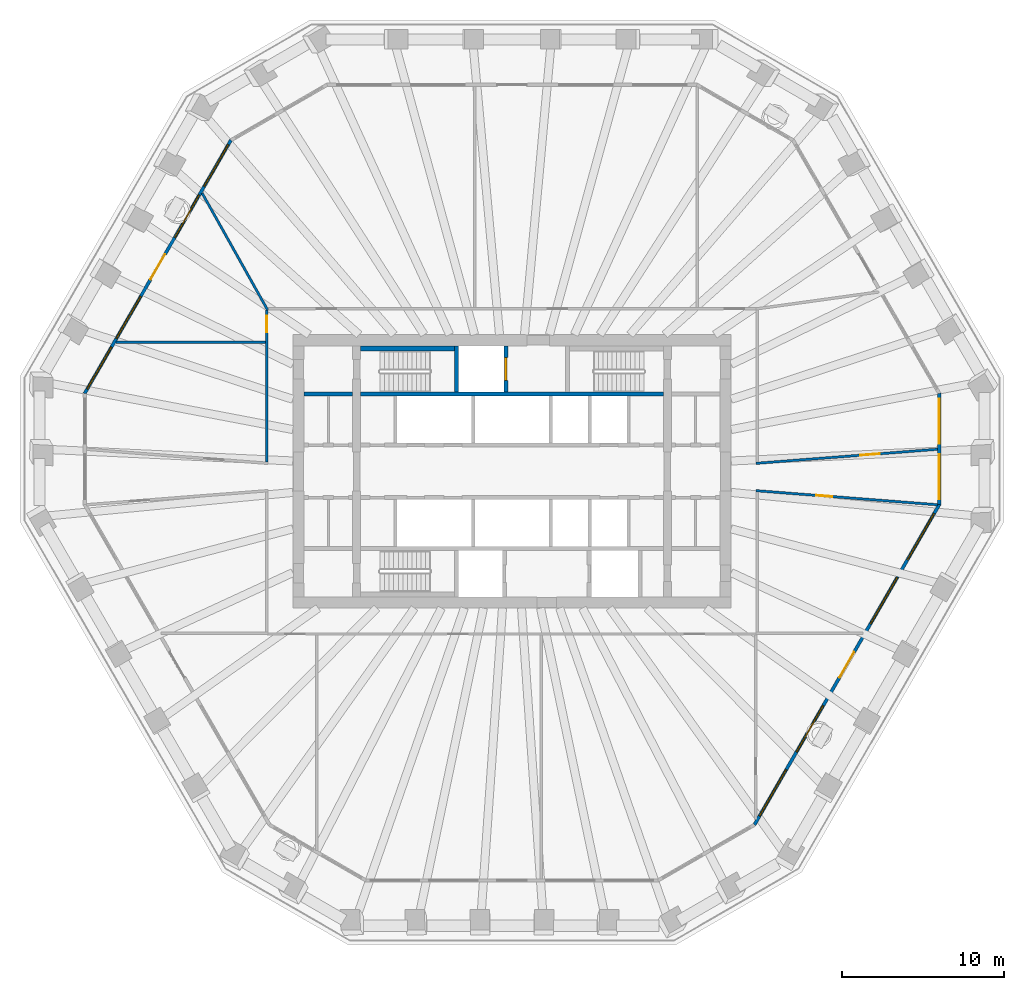
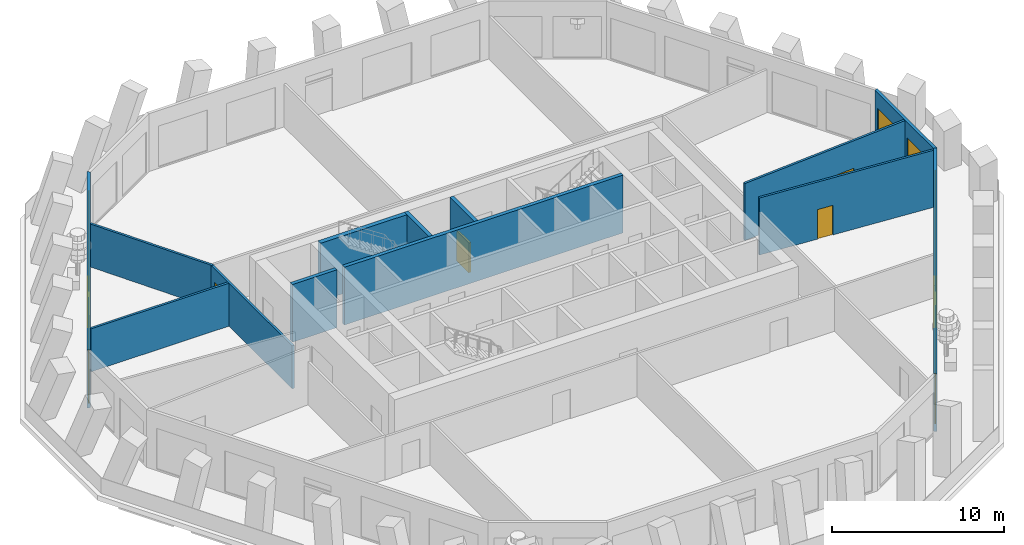
# One storey, part 6 of 11: 13 walls, 12 windows, 6 doors, 18 openings.
"""IFC4 building model written with IfcOpenShell, lengths in metres."""

from ifc_helpers import new_model, si_unit, direction, frame, frame_2d, origin, place, context, subcontext, project, spatial, polyline, rectangle, outline, extrude, material, layer, layer_set, type_object, element, fill, save


model = new_model("IFC4")

# Units and contexts
model_context = context("Model", 3, precision=1e-05, world=origin(), true_north=direction((0.0, 1.0)))
body_context = subcontext(model_context, "Body", "Model", "MODEL_VIEW")
ifc_project = project(units=[si_unit("LENGTHUNIT", "METRE"), si_unit("AREAUNIT", "SQUARE_METRE"), si_unit("VOLUMEUNIT", "CUBIC_METRE"), si_unit("PLANEANGLEUNIT", "RADIAN"), si_unit("MASSUNIT", "GRAM", prefix="KILO")], contexts=[model_context])

# Site, building, storey
site_placement = place(None, origin())
site = spatial("IfcSite", under=ifc_project, at=site_placement, CompositionType="ELEMENT")
building_placement = place(site_placement, origin())
building = spatial("IfcBuilding", under=site, at=building_placement, Name="Frailejon Research Tower", CompositionType="ELEMENT")
storey_placement = place(building_placement, frame((0.0, 0.0, 198.0)))
storey = spatial("IfcBuildingStorey", under=building, at=storey_placement, Name="L43", CompositionType="ELEMENT", Elevation=198.0)

# Wall, opening, door
ifc_material_1 = material(Name="Gypsum board and masonry partition", Category="masonry")
ifc_layer_1 = layer(ifc_material_1, 0.14990234375)
ifc_layer_set_1 = layer_set([ifc_layer_1], Name="Corridor wall EI 60, gypsum on steel studs 150")
wall_type_1 = type_object("IfcWallType", Name="Corridor wall EI 60, gypsum on steel studs 150", PredefinedType="PARTITIONING", material=ifc_layer_set_1)
wall_1_placement = place(storey_placement, frame((-15.14990234375, 0.57568359375, 0.0), z_axis=(0.0, 0.0, 1.0), x_axis=(0.0, 1.0, 0.0)))
wall_1 = element("IfcWall", 1, at=wall_1_placement, inside=storey, type_object=wall_type_1, Name="T:IW:L43:005", PredefinedType="PARTITIONING", context=body_context, shape_type="SweptSolid", body=[
    extrude(rectangle(XDim=9.3994140625, YDim=0.14990234375, at=frame_2d((4.69970703125, 0.0))), origin(), (0.0, 0.0, 1.0), 3.050048828125),
])
opening_1_placement = place(wall_1_placement, frame((8.032958984375, 0.0, 0.0)))
opening_1 = element("IfcOpeningElement", 2, at=opening_1_placement, cuts=wall_1, Name="Opening D1927", PredefinedType="OPENING", context=body_context, shape_type="SweptSolid", body=[
    extrude(rectangle(XDim=1.0, YDim=2.10009765625, at=frame_2d((0.5, 1.050048828125))), frame((0.0, 0.0849609375, 0.0), z_axis=(0.0, -1.0, 0.0), x_axis=(1.0, 0.0, 0.0)), (0.0, 0.0, 1.0), 0.169921875),
])
ifc_material_2 = material(Name="Timber door leaf", Category="wood")
door_type_1 = type_object("IfcDoorType", Name="Door single leaf, timber, steel frame 1000", OperationType="NOTDEFINED", PredefinedType="DOOR", material=ifc_material_2)
door_1_placement = place(opening_1_placement, origin())
door_1 = element("IfcDoor", 3, at=door_1_placement, inside=storey, type_object=door_type_1, Name="D1927", OperationType="SINGLE_SWING_LEFT", OverallHeight=2.10009765625, OverallWidth=1.0, PredefinedType="DOOR", context=body_context, shape_type="SweptSolid", body=[
    extrude(rectangle(XDim=1.0, YDim=2.10009765625, at=frame_2d((0.5, 1.050048828125))), frame((0.0, 0.02490234375, 0.0), z_axis=(0.0, -1.0, 0.0), x_axis=(1.0, 0.0, 0.0)), (0.0, 0.0, 1.0), 0.050048828125),
])
fill(opening_1, door_1)

wall_2_placement = place(storey_placement, frame((15.0751953125, 0.494873046875, 0.0), z_axis=(0.0, 0.0, 1.0), x_axis=(0.996999820834, 0.077403858151, 0.0)))
wall_2 = element("IfcWall", 4, at=wall_2_placement, inside=storey, type_object=wall_type_1, Name="T:IW:L43:009", PredefinedType="PARTITIONING", context=body_context, shape_type="SweptSolid", body=[
    extrude(rectangle(XDim=11.26953125, YDim=0.14990234375, at=frame_2d((5.634765625, 0.0))), origin(), (0.0, 0.0, 1.0), 4.050048828125),
])
opening_2_placement = place(wall_2_placement, frame((6.466552734375, 0.0, 0.0)))
opening_2 = element("IfcOpeningElement", 5, at=opening_2_placement, cuts=wall_2, Name="Opening D1923", PredefinedType="OPENING", context=body_context, shape_type="SweptSolid", body=[
    extrude(rectangle(XDim=1.199951171875, YDim=2.10009765625, at=frame_2d((0.60009765625, 1.050048828125))), frame((0.0, 0.0849609375, 0.0), z_axis=(0.0, -1.0, 0.0), x_axis=(1.0, 0.0, 0.0)), (0.0, 0.0, 1.0), 0.169921875),
])
ifc_material_3 = material(Name="Timber door leaf", Category="wood")
door_type_2 = type_object("IfcDoorType", Name="Door laboratory, timber, vision panel 1200", OperationType="NOTDEFINED", PredefinedType="DOOR", material=ifc_material_3)
door_2_placement = place(opening_2_placement, origin())
door_2 = element("IfcDoor", 6, at=door_2_placement, inside=storey, type_object=door_type_2, Name="D1923", OperationType="DOUBLE_DOOR_SINGLE_SWING", OverallHeight=2.10009765625, OverallWidth=1.199951171875, PredefinedType="DOOR", context=body_context, shape_type="SweptSolid", body=[
    extrude(rectangle(XDim=1.199951171875, YDim=2.10009765625, at=frame_2d((0.60009765625, 1.050048828125))), frame((0.0, 0.02490234375, 0.0), z_axis=(0.0, -1.0, 0.0), x_axis=(1.0, 0.0, 0.0)), (0.0, 0.0, 1.0), 0.050048828125),
])
fill(opening_2, door_2)

wall_3_placement = place(storey_placement, frame((15.0751953125, -1.193603515625, 0.0), z_axis=(0.0, 0.0, 1.0), x_axis=(0.997000362213, -0.077396884614, 0.0)))
wall_3 = element("IfcWall", 7, at=wall_3_placement, inside=storey, type_object=wall_type_1, Name="T:IW:L43:010", PredefinedType="PARTITIONING", context=body_context, shape_type="SweptSolid", body=[
    extrude(rectangle(XDim=11.24853515625, YDim=0.14990234375, at=frame_2d((5.624267578125, 0.0))), origin(), (0.0, 0.0, 1.0), 4.050048828125),
])
opening_3_placement = place(wall_3_placement, frame((3.74072265625, 0.0, 0.0)))
opening_3 = element("IfcOpeningElement", 8, at=opening_3_placement, cuts=wall_3, Name="Opening D1934", PredefinedType="OPENING", context=body_context, shape_type="SweptSolid", body=[
    extrude(rectangle(XDim=1.0, YDim=2.10009765625, at=frame_2d((0.5, 1.050048828125))), frame((0.0, 0.0849609375, 0.0), z_axis=(0.0, -1.0, 0.0), x_axis=(1.0, 0.0, 0.0)), (0.0, 0.0, 1.0), 0.169921875),
])
door_3_placement = place(opening_3_placement, origin())
door_3 = element("IfcDoor", 9, at=door_3_placement, inside=storey, type_object=door_type_1, Name="D1934", OperationType="SINGLE_SWING_LEFT", OverallHeight=2.10009765625, OverallWidth=1.0, PredefinedType="DOOR", context=body_context, shape_type="SweptSolid", body=[
    extrude(rectangle(XDim=1.0, YDim=2.10009765625, at=frame_2d((0.5, 1.050048828125))), frame((0.0, 0.02490234375, 0.0), z_axis=(0.0, -1.0, 0.0), x_axis=(1.0, 0.0, 0.0)), (0.0, 0.0, 1.0), 0.050048828125),
])
fill(opening_3, door_3)

# Walls
ifc_material_4 = material(Name="Gypsum board and masonry partition", Category="masonry")
ifc_layer_2 = layer(ifc_material_4, 0.14990234375)
ifc_layer_set_2 = layer_set([ifc_layer_2], Name="Laboratory partition, blockwork 150")
wall_type_2 = type_object("IfcWallType", Name="Laboratory partition, blockwork 150", PredefinedType="PARTITIONING", material=ifc_layer_set_2)
wall_4_placement = place(storey_placement, frame((-19.15087890625, 17.195068359375, 0.0), z_axis=(0.0, 0.0, 1.0), x_axis=(0.488579979152, -0.872519113815, 0.0)))
element("IfcWall", 10, at=wall_4_placement, inside=storey, type_object=wall_type_2, Name="T:IW:L43:014", PredefinedType="PARTITIONING", context=body_context, shape_type="SweptSolid", body=[
    extrude(rectangle(XDim=8.263916015625, YDim=0.14990234375, at=frame_2d((4.1318359375, 0.0))), origin(), (0.0, 0.0, 1.0), 3.050048828125),
])
wall_5_placement = place(storey_placement, frame((-24.468505859375, 7.984619140625, 0.0), z_axis=(0.0, 0.0, 1.0), x_axis=(1.0, 0.0, 0.0)))
element("IfcWall", 11, at=wall_5_placement, inside=storey, type_object=wall_type_2, Name="T:IW:L43:015", PredefinedType="PARTITIONING", context=body_context, shape_type="SweptSolid", body=[
    extrude(rectangle(XDim=9.243408203125, YDim=0.14990234375, at=frame_2d((4.62158203125, 0.0))), origin(), (0.0, 0.0, 1.0), 3.050048828125),
])
ifc_material_5 = material(Name="Concrete C60/75", Category="concrete")
ifc_layer_3 = layer(ifc_material_5, 0.25)
ifc_layer_set_3 = layer_set([ifc_layer_3], Name="Shaft wall 250 C60/75")
wall_type_3 = type_object("IfcWallType", Name="Shaft wall 250 C60/75", PredefinedType="SOLIDWALL", material=ifc_layer_set_3)
wall_6_placement = place(storey_placement, frame((-12.85009765625, 4.77490234375, 0.0), z_axis=(0.0, 0.0, 1.0), x_axis=(1.0, 0.0, 0.0)))
element("IfcWall", 12, at=wall_6_placement, inside=storey, type_object=wall_type_3, Name="Shaft wall", PredefinedType="SOLIDWALL", context=body_context, shape_type="SweptSolid", body=[
    extrude(rectangle(XDim=3.0, YDim=0.25, at=frame_2d((1.5, 0.0))), origin(), (0.0, 0.0, 1.0), 4.10009765625),
])
wall_7_placement = place(storey_placement, frame((-9.35009765625, 4.77490234375, 0.0), z_axis=(0.0, 0.0, 1.0), x_axis=(1.0, 0.0, 0.0)))
element("IfcWall", 13, at=wall_7_placement, inside=storey, type_object=wall_type_3, Name="Shaft wall", PredefinedType="SOLIDWALL", context=body_context, shape_type="SweptSolid", body=[
    extrude(rectangle(XDim=18.7001953125, YDim=0.25, at=frame_2d((9.35009765625, 0.0))), origin(), (0.0, 0.0, 1.0), 4.10009765625),
])
wall_8_placement = place(storey_placement, frame((-3.425048828125, 4.89990234375, 0.0), z_axis=(0.0, 0.0, 1.0), x_axis=(0.0, 1.0, 0.0)))
element("IfcWall", 14, at=wall_8_placement, inside=storey, type_object=wall_type_3, Name="Shaft wall", PredefinedType="SOLIDWALL", context=body_context, shape_type="SweptSolid", body=[
    extrude(rectangle(XDim=2.85009765625, YDim=0.25, at=frame_2d((1.425048828125, 0.0))), origin(), (0.0, 0.0, 1.0), 4.10009765625),
])

# Wall, opening, door
wall_9_placement = place(storey_placement, frame((-0.375, 4.89990234375, 0.0), z_axis=(0.0, 0.0, 1.0), x_axis=(0.0, 1.0, 0.0)))
wall_9 = element("IfcWall", 15, at=wall_9_placement, inside=storey, type_object=wall_type_3, Name="Shaft wall", PredefinedType="SOLIDWALL", context=body_context, shape_type="SweptSolid", body=[
    extrude(rectangle(XDim=2.85009765625, YDim=0.25, at=frame_2d((1.425048828125, 0.0))), origin(), (0.0, 0.0, 1.0), 4.10009765625),
])
opening_4_placement = place(wall_9_placement, frame((0.72509765625, 0.0, 0.0)))
opening_4 = element("IfcOpeningElement", 16, at=opening_4_placement, cuts=wall_9, Name="Opening LD2", PredefinedType="OPENING", context=body_context, shape_type="SweptSolid", body=[
    extrude(rectangle(XDim=1.39990234375, YDim=2.10009765625, at=frame_2d((0.699951171875, 1.050048828125))), frame((0.0, 0.135009765625, 0.0), z_axis=(0.0, -1.0, 0.0), x_axis=(1.0, 0.0, 0.0)), (0.0, 0.0, 1.0), 0.27001953125),
])
ifc_material_6 = material(Name="Stainless steel", Category="steel")
door_type_3 = type_object("IfcDoorType", Name="Goods landing door", OperationType="DOUBLE_DOOR_SLIDING", PredefinedType="DOOR", material=ifc_material_6)
door_4_placement = place(opening_4_placement, origin())
door_4 = element("IfcDoor", 17, at=door_4_placement, inside=storey, type_object=door_type_3, Name="Lift landing door", OperationType="DOUBLE_DOOR_SLIDING", OverallHeight=2.10009765625, OverallWidth=1.39990234375, PredefinedType="DOOR", context=body_context, shape_type="SweptSolid", body=[
    extrude(rectangle(XDim=1.39990234375, YDim=2.10009765625, at=frame_2d((0.699951171875, 1.050048828125))), frame((0.0, 0.074951171875, 0.0), z_axis=(0.0, -1.0, 0.0), x_axis=(1.0, 0.0, 0.0)), (0.0, 0.0, 1.0), 0.14990234375),
])
fill(opening_4, door_4)

# Wall
ifc_material_7 = material(Name="Concrete C60/75", Category="concrete")
ifc_layer_4 = layer(ifc_material_7, 0.300048828125)
ifc_layer_set_4 = layer_set([ifc_layer_4], Name="Shaft wall 300 C60/75")
wall_type_4 = type_object("IfcWallType", Name="Shaft wall 300 C60/75", PredefinedType="SOLIDWALL", material=ifc_layer_set_4)
wall_10_placement = place(storey_placement, frame((-9.35009765625, 7.60009765625, 0.0), z_axis=(0.0, 0.0, 1.0), x_axis=(1.0, 0.0, 0.0)))
element("IfcWall", 18, at=wall_10_placement, inside=storey, type_object=wall_type_4, Name="Shaft wall", PredefinedType="SOLIDWALL", context=body_context, shape_type="SweptSolid", body=[
    extrude(rectangle(XDim=5.800048828125, YDim=0.300048828125, at=frame_2d((2.89990234375, 0.0))), origin(), (0.0, 0.0, 1.0), 4.10009765625),
])

# Wall, openings, windows
ifc_material_8 = material(Name="Concrete C40/50 precast window wall panel", Category="concrete")
ifc_layer_5 = layer(ifc_material_8, 0.199951171875)
ifc_layer_set_5 = layer_set([ifc_layer_5], Name="Window wall 200")
wall_type_5 = type_object("IfcWallType", Name="Window wall 200", PredefinedType="SOLIDWALL", material=ifc_layer_set_5)
wall_11_placement = place(storey_placement, frame((26.4111328125, -2.0546875, 0.0), z_axis=(0.0, 0.0, 1.0), x_axis=(0.0, 1.0, 0.0)))
wall_11 = element("IfcWall", 19, at=wall_11_placement, inside=storey, type_object=wall_type_5, Name="Exterior wall L43", PredefinedType="SOLIDWALL", context=body_context, shape_type="SweptSolid", body=[
    extrude(outline(polyline([(-0.02685546875, -0.10009765625), (1.1279296875, -0.10009765625), (2.28271484375, -0.10009765625), (3.4375, -0.10009765625), (4.592041015625, -0.10009765625), (5.746826171875, -0.10009765625), (6.901611328125, -0.10009765625), (6.847900390625, 0.10009765625), (5.7109375, 0.10009765625), (4.57421875, 0.10009765625), (3.4375, 0.10009765625), (2.300537109375, 0.10009765625), (1.16357421875, 0.10009765625), (0.02685546875, 0.10009765625), (-0.02685546875, -0.10009765625)])), origin(), (0.0, 0.0, 1.0), 4.10009765625),
])
opening_5_placement = place(wall_11_placement, frame((0.318603515625, 0.0, 0.10009765625)))
opening_5 = element("IfcOpeningElement", 20, at=opening_5_placement, cuts=wall_11, Name="Opening W3", PredefinedType="OPENING", context=body_context, shape_type="SweptSolid", body=[
    extrude(rectangle(XDim=2.800048828125, YDim=2.89990234375, at=frame_2d((1.39990234375, 1.449951171875))), frame((0.0, 0.10986328125, 0.0), z_axis=(0.0, -1.0, 0.0), x_axis=(1.0, 0.0, 0.0)), (0.0, 0.0, 1.0), 0.219970703125),
])
opening_6_placement = place(wall_11_placement, frame((3.756103515625, 0.0, 0.10009765625)))
opening_6 = element("IfcOpeningElement", 21, at=opening_6_placement, cuts=wall_11, Name="Opening W3", PredefinedType="OPENING", context=body_context, shape_type="SweptSolid", body=[
    extrude(rectangle(XDim=2.800048828125, YDim=2.89990234375, at=frame_2d((1.39990234375, 1.449951171875))), frame((0.0, 0.10986328125, 0.0), z_axis=(0.0, -1.0, 0.0), x_axis=(1.0, 0.0, 0.0)), (0.0, 0.0, 1.0), 0.219970703125),
])
ifc_material_9 = material(Name="Aluminium framed double glazing", Category="aluminium")
window_type_1 = type_object("IfcWindowType", Name="Window 2800x2900", PartitioningType="SINGLE_PANEL", PredefinedType="WINDOW", material=ifc_material_9)
window_1_placement = place(opening_5_placement, origin())
window_1 = element("IfcWindow", 22, at=window_1_placement, inside=storey, type_object=window_type_1, Name="Window L43", OverallHeight=2.89990234375, OverallWidth=2.800048828125, PartitioningType="SINGLE_PANEL", PredefinedType="WINDOW", context=body_context, shape_type="SweptSolid", body=[
    extrude(rectangle(XDim=2.800048828125, YDim=2.89990234375, at=frame_2d((1.39990234375, 1.449951171875))), frame((0.0, 0.030029296875, 0.0), z_axis=(0.0, -1.0, 0.0), x_axis=(1.0, 0.0, 0.0)), (0.0, 0.0, 1.0), 0.06005859375),
])
fill(opening_5, window_1)
window_2_placement = place(opening_6_placement, origin())
window_2 = element("IfcWindow", 23, at=window_2_placement, inside=storey, type_object=window_type_1, Name="Window L43", OverallHeight=2.89990234375, OverallWidth=2.800048828125, PartitioningType="SINGLE_PANEL", PredefinedType="WINDOW", context=body_context, shape_type="SweptSolid", body=[
    extrude(rectangle(XDim=2.800048828125, YDim=2.89990234375, at=frame_2d((1.39990234375, 1.449951171875))), frame((0.0, 0.030029296875, 0.0), z_axis=(0.0, -1.0, 0.0), x_axis=(1.0, 0.0, 0.0)), (0.0, 0.0, 1.0), 0.06005859375),
])
fill(opening_6, window_2)

# Wall, openings, door, windows
wall_12_placement = place(storey_placement, frame((-17.3798828125, 20.462646484375, 0.0), z_axis=(0.0, 0.0, 1.0), x_axis=(-0.500000137386, -0.866025324465, 0.0)))
wall_12 = element("IfcWall", 24, at=wall_12_placement, inside=storey, type_object=wall_type_5, Name="Exterior wall L43", PredefinedType="SOLIDWALL", context=body_context, shape_type="SweptSolid", body=[
    extrude(outline(polyline([(-0.02685546875, -0.10009765625), (0.9794921875, -0.10009765625), (1.986083984375, -0.10009765625), (2.992431640625, -0.10009765625), (3.9990234375, -0.10009765625), (5.00537109375, -0.10009765625), (6.011962890625, -0.10009765625), (7.018310546875, -0.10009765625), (8.02490234375, -0.10009765625), (9.03125, -0.10009765625), (10.03759765625, -0.10009765625), (11.044189453125, -0.10009765625), (12.050537109375, -0.10009765625), (13.05712890625, -0.10009765625), (14.0634765625, -0.10009765625), (15.070068359375, -0.10009765625), (16.076416015625, -0.10009765625), (17.0830078125, -0.10009765625), (18.08935546875, -0.10009765625), (18.03564453125, 0.10009765625), (17.03515625, 0.10009765625), (16.03466796875, 0.10009765625), (15.0341796875, 0.10009765625), (14.03369140625, 0.10009765625), (13.033203125, 0.10009765625), (12.03271484375, 0.10009765625), (11.0322265625, 0.10009765625), (10.03173828125, 0.10009765625), (9.03125, 0.10009765625), (8.03076171875, 0.10009765625), (7.0302734375, 0.10009765625), (6.02978515625, 0.10009765625), (5.029296875, 0.10009765625), (4.02880859375, 0.10009765625), (3.0283203125, 0.10009765625), (2.02783203125, 0.10009765625), (1.02734375, 0.10009765625), (0.02685546875, 0.10009765625), (-0.02685546875, -0.10009765625)])), origin(), (0.0, 0.0, 1.0), 4.10009765625),
])
opening_7_placement = place(wall_12_placement, frame((0.306396484375, 0.0, 0.10009765625)))
opening_7 = element("IfcOpeningElement", 25, at=opening_7_placement, cuts=wall_12, Name="Opening W4", PredefinedType="OPENING", context=body_context, shape_type="SweptSolid", body=[
    extrude(rectangle(XDim=3.0, YDim=2.89990234375, at=frame_2d((1.5, 1.449951171875))), frame((0.0, 0.10986328125, 0.0), z_axis=(0.0, -1.0, 0.0), x_axis=(1.0, 0.0, 0.0)), (0.0, 0.0, 1.0), 0.219970703125),
])
opening_8_placement = place(wall_12_placement, frame((3.918701171875, 0.0, 0.10009765625)))
opening_8 = element("IfcOpeningElement", 26, at=opening_8_placement, cuts=wall_12, Name="Opening W4", PredefinedType="OPENING", context=body_context, shape_type="SweptSolid", body=[
    extrude(rectangle(XDim=3.0, YDim=2.89990234375, at=frame_2d((1.5, 1.449951171875))), frame((0.0, 0.10986328125, 0.0), z_axis=(0.0, -1.0, 0.0), x_axis=(1.0, 0.0, 0.0)), (0.0, 0.0, 1.0), 0.219970703125),
])
opening_9_placement = place(wall_12_placement, frame((8.13134765625, 0.0, 0.0)))
opening_9 = element("IfcOpeningElement", 27, at=opening_9_placement, cuts=wall_12, Name="Opening LG43-3", PredefinedType="OPENING", context=body_context, shape_type="SweptSolid", body=[
    extrude(rectangle(XDim=1.800048828125, YDim=2.39990234375, at=frame_2d((0.89990234375, 1.199951171875))), frame((0.0, 0.10986328125, 0.0), z_axis=(0.0, -1.0, 0.0), x_axis=(1.0, 0.0, 0.0)), (0.0, 0.0, 1.0), 0.219970703125),
])
opening_10_placement = place(wall_12_placement, frame((8.13134765625, 0.0, 2.550048828125)))
opening_10 = element("IfcOpeningElement", 28, at=opening_10_placement, cuts=wall_12, Name="Opening W1", PredefinedType="OPENING", context=body_context, shape_type="SweptSolid", body=[
    extrude(rectangle(XDim=1.800048828125, YDim=0.449951171875, at=frame_2d((0.89990234375, 0.22509765625))), frame((0.0, 0.10986328125, 0.0), z_axis=(0.0, -1.0, 0.0), x_axis=(1.0, 0.0, 0.0)), (0.0, 0.0, 1.0), 0.219970703125),
])
opening_11_placement = place(wall_12_placement, frame((11.143798828125, 0.0, 0.10009765625)))
opening_11 = element("IfcOpeningElement", 29, at=opening_11_placement, cuts=wall_12, Name="Opening W4", PredefinedType="OPENING", context=body_context, shape_type="SweptSolid", body=[
    extrude(rectangle(XDim=3.0, YDim=2.89990234375, at=frame_2d((1.5, 1.449951171875))), frame((0.0, 0.10986328125, 0.0), z_axis=(0.0, -1.0, 0.0), x_axis=(1.0, 0.0, 0.0)), (0.0, 0.0, 1.0), 0.219970703125),
])
opening_12_placement = place(wall_12_placement, frame((14.75634765625, 0.0, 0.10009765625)))
opening_12 = element("IfcOpeningElement", 30, at=opening_12_placement, cuts=wall_12, Name="Opening W4", PredefinedType="OPENING", context=body_context, shape_type="SweptSolid", body=[
    extrude(rectangle(XDim=3.0, YDim=2.89990234375, at=frame_2d((1.5, 1.449951171875))), frame((0.0, 0.10986328125, 0.0), z_axis=(0.0, -1.0, 0.0), x_axis=(1.0, 0.0, 0.0)), (0.0, 0.0, 1.0), 0.219970703125),
])
ifc_material_10 = material(Name="Aluminium framed glazed door leaf", Category="aluminium")
door_type_4 = type_object("IfcDoorType", Name="Loggia door 1800x2400", OperationType="DOUBLE_DOOR_SINGLE_SWING", PredefinedType="DOOR", material=ifc_material_10)
door_5_placement = place(opening_9_placement, origin())
door_5 = element("IfcDoor", 31, at=door_5_placement, inside=storey, type_object=door_type_4, Name="Door LG43-3", OperationType="DOUBLE_DOOR_SINGLE_SWING", OverallHeight=2.39990234375, OverallWidth=1.800048828125, PredefinedType="DOOR", context=body_context, shape_type="SweptSolid", body=[
    extrude(rectangle(XDim=1.800048828125, YDim=2.39990234375, at=frame_2d((0.89990234375, 1.199951171875))), frame((0.0, 0.02490234375, 0.0), z_axis=(0.0, -1.0, 0.0), x_axis=(1.0, 0.0, 0.0)), (0.0, 0.0, 1.0), 0.050048828125),
])
fill(opening_9, door_5)
ifc_material_11 = material(Name="Aluminium framed double glazing", Category="aluminium")
window_type_2 = type_object("IfcWindowType", Name="Window 1800x450", PartitioningType="SINGLE_PANEL", PredefinedType="WINDOW", material=ifc_material_11)
window_3_placement = place(opening_10_placement, origin())
window_3 = element("IfcWindow", 32, at=window_3_placement, inside=storey, type_object=window_type_2, Name="Window L43", OverallHeight=0.449951171875, OverallWidth=1.800048828125, PartitioningType="SINGLE_PANEL", PredefinedType="WINDOW", context=body_context, shape_type="SweptSolid", body=[
    extrude(rectangle(XDim=1.800048828125, YDim=0.449951171875, at=frame_2d((0.89990234375, 0.22509765625))), frame((0.0, 0.030029296875, 0.0), z_axis=(0.0, -1.0, 0.0), x_axis=(1.0, 0.0, 0.0)), (0.0, 0.0, 1.0), 0.06005859375),
])
fill(opening_10, window_3)
ifc_material_12 = material(Name="Aluminium framed double glazing", Category="aluminium")
window_type_3 = type_object("IfcWindowType", Name="Window 3000x2900", PartitioningType="SINGLE_PANEL", PredefinedType="WINDOW", material=ifc_material_12)
window_4_placement = place(opening_7_placement, origin())
window_4 = element("IfcWindow", 33, at=window_4_placement, inside=storey, type_object=window_type_3, Name="Window L43", OverallHeight=2.89990234375, OverallWidth=3.0, PartitioningType="SINGLE_PANEL", PredefinedType="WINDOW", context=body_context, shape_type="SweptSolid", body=[
    extrude(rectangle(XDim=3.0, YDim=2.89990234375, at=frame_2d((1.5, 1.449951171875))), frame((0.0, 0.030029296875, 0.0), z_axis=(0.0, -1.0, 0.0), x_axis=(1.0, 0.0, 0.0)), (0.0, 0.0, 1.0), 0.06005859375),
])
fill(opening_7, window_4)
window_5_placement = place(opening_8_placement, origin())
window_5 = element("IfcWindow", 34, at=window_5_placement, inside=storey, type_object=window_type_3, Name="Window L43", OverallHeight=2.89990234375, OverallWidth=3.0, PartitioningType="SINGLE_PANEL", PredefinedType="WINDOW", context=body_context, shape_type="SweptSolid", body=[
    extrude(rectangle(XDim=3.0, YDim=2.89990234375, at=frame_2d((1.5, 1.449951171875))), frame((0.0, 0.030029296875, 0.0), z_axis=(0.0, -1.0, 0.0), x_axis=(1.0, 0.0, 0.0)), (0.0, 0.0, 1.0), 0.06005859375),
])
fill(opening_8, window_5)
window_6_placement = place(opening_11_placement, origin())
window_6 = element("IfcWindow", 35, at=window_6_placement, inside=storey, type_object=window_type_3, Name="Window L43", OverallHeight=2.89990234375, OverallWidth=3.0, PartitioningType="SINGLE_PANEL", PredefinedType="WINDOW", context=body_context, shape_type="SweptSolid", body=[
    extrude(rectangle(XDim=3.0, YDim=2.89990234375, at=frame_2d((1.5, 1.449951171875))), frame((0.0, 0.030029296875, 0.0), z_axis=(0.0, -1.0, 0.0), x_axis=(1.0, 0.0, 0.0)), (0.0, 0.0, 1.0), 0.06005859375),
])
fill(opening_11, window_6)
window_7_placement = place(opening_12_placement, origin())
window_7 = element("IfcWindow", 36, at=window_7_placement, inside=storey, type_object=window_type_3, Name="Window L43", OverallHeight=2.89990234375, OverallWidth=3.0, PartitioningType="SINGLE_PANEL", PredefinedType="WINDOW", context=body_context, shape_type="SweptSolid", body=[
    extrude(rectangle(XDim=3.0, YDim=2.89990234375, at=frame_2d((1.5, 1.449951171875))), frame((0.0, 0.030029296875, 0.0), z_axis=(0.0, -1.0, 0.0), x_axis=(1.0, 0.0, 0.0)), (0.0, 0.0, 1.0), 0.06005859375),
])
fill(opening_12, window_7)

wall_13_placement = place(storey_placement, frame((14.98486328125, -21.845458984375, 0.0), z_axis=(0.0, 0.0, 1.0), x_axis=(0.50000204422, 0.86602422355, 0.0)))
wall_13 = element("IfcWall", 37, at=wall_13_placement, inside=storey, type_object=wall_type_5, Name="Exterior wall L43", PredefinedType="SOLIDWALL", context=body_context, shape_type="SweptSolid", body=[
    extrude(outline(polyline([(-0.02685546875, -0.10009765625), (1.014404296875, -0.10009765625), (2.055419921875, -0.10009765625), (3.0966796875, -0.10009765625), (4.137939453125, -0.10009765625), (5.17919921875, -0.10009765625), (6.22021484375, -0.10009765625), (7.261474609375, -0.10009765625), (8.302734375, -0.10009765625), (9.343994140625, -0.10009765625), (10.385009765625, -0.10009765625), (11.42626953125, -0.10009765625), (12.467529296875, -0.10009765625), (13.508544921875, -0.10009765625), (14.5498046875, -0.10009765625), (15.591064453125, -0.10009765625), (16.63232421875, -0.10009765625), (17.67333984375, -0.10009765625), (18.714599609375, -0.10009765625), (19.755859375, -0.10009765625), (20.797119140625, -0.10009765625), (21.838134765625, -0.10009765625), (22.87939453125, -0.10009765625), (22.82568359375, 0.10009765625), (21.789306640625, 0.10009765625), (20.753173828125, 0.10009765625), (19.716796875, 0.10009765625), (18.680419921875, 0.10009765625), (17.64404296875, 0.10009765625), (16.60791015625, 0.10009765625), (15.571533203125, 0.10009765625), (14.53515625, 0.10009765625), (13.498779296875, 0.10009765625), (12.462646484375, 0.10009765625), (11.42626953125, 0.10009765625), (10.389892578125, 0.10009765625), (9.353759765625, 0.10009765625), (8.3173828125, 0.10009765625), (7.281005859375, 0.10009765625), (6.24462890625, 0.10009765625), (5.20849609375, 0.10009765625), (4.172119140625, 0.10009765625), (3.1357421875, 0.10009765625), (2.099365234375, 0.10009765625), (1.063232421875, 0.10009765625), (0.02685546875, 0.10009765625), (-0.02685546875, -0.10009765625)])), origin(), (0.0, 0.0, 1.0), 4.10009765625),
])
opening_13_placement = place(wall_13_placement, frame((0.63525390625, 0.0, 0.10009765625)))
opening_13 = element("IfcOpeningElement", 38, at=opening_13_placement, cuts=wall_13, Name="Opening W5", PredefinedType="OPENING", context=body_context, shape_type="SweptSolid", body=[
    extrude(rectangle(XDim=3.300048828125, YDim=2.89990234375, at=frame_2d((1.64990234375, 1.449951171875))), frame((0.0, 0.10986328125, 0.0), z_axis=(0.0, -1.0, 0.0), x_axis=(1.0, 0.0, 0.0)), (0.0, 0.0, 1.0), 0.219970703125),
])
opening_14_placement = place(wall_13_placement, frame((5.205810546875, 0.0, 0.10009765625)))
opening_14 = element("IfcOpeningElement", 39, at=opening_14_placement, cuts=wall_13, Name="Opening W5", PredefinedType="OPENING", context=body_context, shape_type="SweptSolid", body=[
    extrude(rectangle(XDim=3.300048828125, YDim=2.89990234375, at=frame_2d((1.64990234375, 1.449951171875))), frame((0.0, 0.10986328125, 0.0), z_axis=(0.0, -1.0, 0.0), x_axis=(1.0, 0.0, 0.0)), (0.0, 0.0, 1.0), 0.219970703125),
])
opening_15_placement = place(wall_13_placement, frame((10.5263671875, 0.0, 0.0)))
opening_15 = element("IfcOpeningElement", 40, at=opening_15_placement, cuts=wall_13, Name="Opening LG43-6", PredefinedType="OPENING", context=body_context, shape_type="SweptSolid", body=[
    extrude(rectangle(XDim=1.800048828125, YDim=2.39990234375, at=frame_2d((0.89990234375, 1.199951171875))), frame((0.0, 0.10986328125, 0.0), z_axis=(0.0, -1.0, 0.0), x_axis=(1.0, 0.0, 0.0)), (0.0, 0.0, 1.0), 0.219970703125),
])
opening_16_placement = place(wall_13_placement, frame((10.5263671875, 0.0, 2.550048828125)))
opening_16 = element("IfcOpeningElement", 41, at=opening_16_placement, cuts=wall_13, Name="Opening W1", PredefinedType="OPENING", context=body_context, shape_type="SweptSolid", body=[
    extrude(rectangle(XDim=1.800048828125, YDim=0.449951171875, at=frame_2d((0.89990234375, 0.22509765625))), frame((0.0, 0.10986328125, 0.0), z_axis=(0.0, -1.0, 0.0), x_axis=(1.0, 0.0, 0.0)), (0.0, 0.0, 1.0), 0.219970703125),
])
opening_17_placement = place(wall_13_placement, frame((14.3466796875, 0.0, 0.10009765625)))
opening_17 = element("IfcOpeningElement", 42, at=opening_17_placement, cuts=wall_13, Name="Opening W5", PredefinedType="OPENING", context=body_context, shape_type="SweptSolid", body=[
    extrude(rectangle(XDim=3.300048828125, YDim=2.89990234375, at=frame_2d((1.64990234375, 1.449951171875))), frame((0.0, 0.10986328125, 0.0), z_axis=(0.0, -1.0, 0.0), x_axis=(1.0, 0.0, 0.0)), (0.0, 0.0, 1.0), 0.219970703125),
])
opening_18_placement = place(wall_13_placement, frame((18.917236328125, 0.0, 0.10009765625)))
opening_18 = element("IfcOpeningElement", 43, at=opening_18_placement, cuts=wall_13, Name="Opening W5", PredefinedType="OPENING", context=body_context, shape_type="SweptSolid", body=[
    extrude(rectangle(XDim=3.300048828125, YDim=2.89990234375, at=frame_2d((1.64990234375, 1.449951171875))), frame((0.0, 0.10986328125, 0.0), z_axis=(0.0, -1.0, 0.0), x_axis=(1.0, 0.0, 0.0)), (0.0, 0.0, 1.0), 0.219970703125),
])
door_6_placement = place(opening_15_placement, origin())
door_6 = element("IfcDoor", 44, at=door_6_placement, inside=storey, type_object=door_type_4, Name="Door LG43-6", OperationType="DOUBLE_DOOR_SINGLE_SWING", OverallHeight=2.39990234375, OverallWidth=1.800048828125, PredefinedType="DOOR", context=body_context, shape_type="SweptSolid", body=[
    extrude(rectangle(XDim=1.800048828125, YDim=2.39990234375, at=frame_2d((0.89990234375, 1.199951171875))), frame((0.0, 0.02490234375, 0.0), z_axis=(0.0, -1.0, 0.0), x_axis=(1.0, 0.0, 0.0)), (0.0, 0.0, 1.0), 0.050048828125),
])
fill(opening_15, door_6)
window_8_placement = place(opening_16_placement, origin())
window_8 = element("IfcWindow", 45, at=window_8_placement, inside=storey, type_object=window_type_2, Name="Window L43", OverallHeight=0.449951171875, OverallWidth=1.800048828125, PartitioningType="SINGLE_PANEL", PredefinedType="WINDOW", context=body_context, shape_type="SweptSolid", body=[
    extrude(rectangle(XDim=1.800048828125, YDim=0.449951171875, at=frame_2d((0.89990234375, 0.22509765625))), frame((0.0, 0.030029296875, 0.0), z_axis=(0.0, -1.0, 0.0), x_axis=(1.0, 0.0, 0.0)), (0.0, 0.0, 1.0), 0.06005859375),
])
fill(opening_16, window_8)
ifc_material_13 = material(Name="Aluminium framed double glazing", Category="aluminium")
window_type_4 = type_object("IfcWindowType", Name="Window 3300x2900", PartitioningType="SINGLE_PANEL", PredefinedType="WINDOW", material=ifc_material_13)
window_9_placement = place(opening_13_placement, origin())
window_9 = element("IfcWindow", 46, at=window_9_placement, inside=storey, type_object=window_type_4, Name="Window L43", OverallHeight=2.89990234375, OverallWidth=3.300048828125, PartitioningType="SINGLE_PANEL", PredefinedType="WINDOW", context=body_context, shape_type="SweptSolid", body=[
    extrude(rectangle(XDim=3.300048828125, YDim=2.89990234375, at=frame_2d((1.64990234375, 1.449951171875))), frame((0.0, 0.030029296875, 0.0), z_axis=(0.0, -1.0, 0.0), x_axis=(1.0, 0.0, 0.0)), (0.0, 0.0, 1.0), 0.06005859375),
])
fill(opening_13, window_9)
window_10_placement = place(opening_14_placement, origin())
window_10 = element("IfcWindow", 47, at=window_10_placement, inside=storey, type_object=window_type_4, Name="Window L43", OverallHeight=2.89990234375, OverallWidth=3.300048828125, PartitioningType="SINGLE_PANEL", PredefinedType="WINDOW", context=body_context, shape_type="SweptSolid", body=[
    extrude(rectangle(XDim=3.300048828125, YDim=2.89990234375, at=frame_2d((1.64990234375, 1.449951171875))), frame((0.0, 0.030029296875, 0.0), z_axis=(0.0, -1.0, 0.0), x_axis=(1.0, 0.0, 0.0)), (0.0, 0.0, 1.0), 0.06005859375),
])
fill(opening_14, window_10)
window_11_placement = place(opening_17_placement, origin())
window_11 = element("IfcWindow", 48, at=window_11_placement, inside=storey, type_object=window_type_4, Name="Window L43", OverallHeight=2.89990234375, OverallWidth=3.300048828125, PartitioningType="SINGLE_PANEL", PredefinedType="WINDOW", context=body_context, shape_type="SweptSolid", body=[
    extrude(rectangle(XDim=3.300048828125, YDim=2.89990234375, at=frame_2d((1.64990234375, 1.449951171875))), frame((0.0, 0.030029296875, 0.0), z_axis=(0.0, -1.0, 0.0), x_axis=(1.0, 0.0, 0.0)), (0.0, 0.0, 1.0), 0.06005859375),
])
fill(opening_17, window_11)
window_12_placement = place(opening_18_placement, origin())
window_12 = element("IfcWindow", 49, at=window_12_placement, inside=storey, type_object=window_type_4, Name="Window L43", OverallHeight=2.89990234375, OverallWidth=3.300048828125, PartitioningType="SINGLE_PANEL", PredefinedType="WINDOW", context=body_context, shape_type="SweptSolid", body=[
    extrude(rectangle(XDim=3.300048828125, YDim=2.89990234375, at=frame_2d((1.64990234375, 1.449951171875))), frame((0.0, 0.030029296875, 0.0), z_axis=(0.0, -1.0, 0.0), x_axis=(1.0, 0.0, 0.0)), (0.0, 0.0, 1.0), 0.06005859375),
])
fill(opening_18, window_12)

save(model, "model.ifc")
